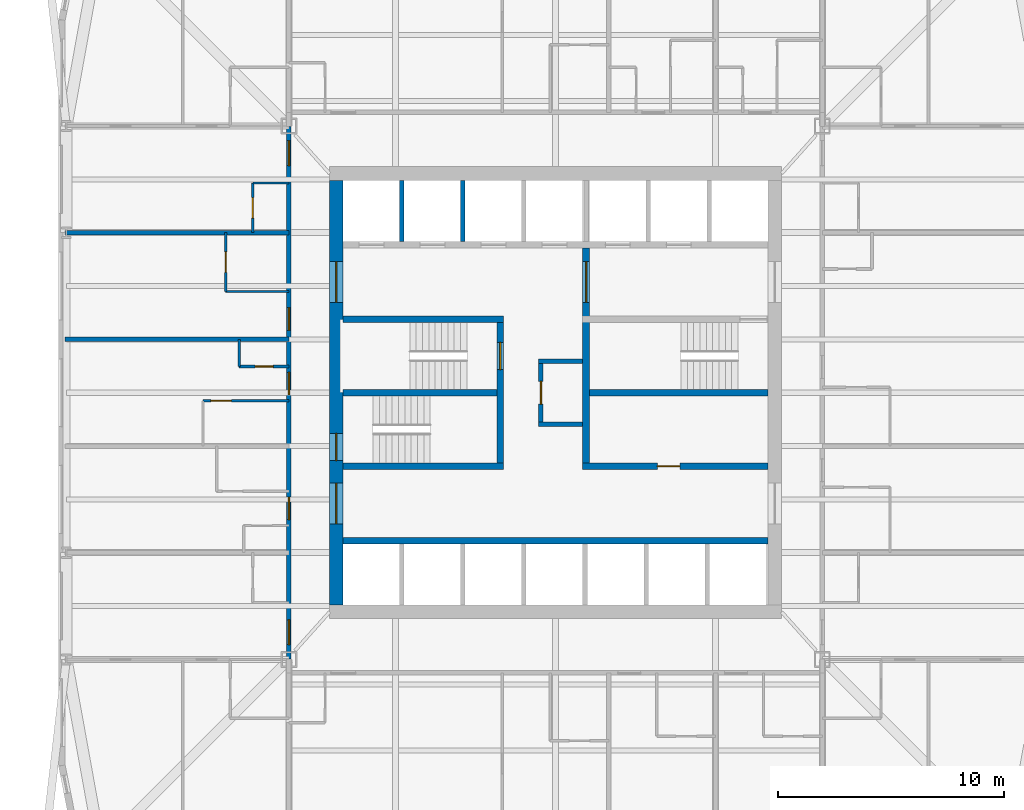
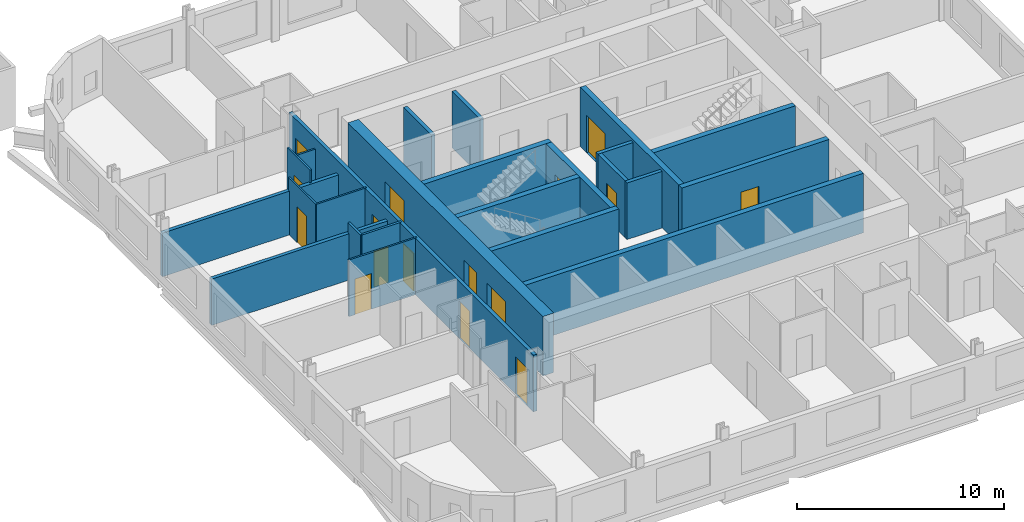
# One storey, part 4 of 9: 24 walls, 16 doors, 16 openings.
"""IFC4 building model written with IfcOpenShell, lengths in metres."""

from ifc_helpers import new_model, si_unit, direction, frame, frame_2d, origin, place, context, subcontext, project, spatial, rectangle, extrude, material, layer, layer_set, type_object, element, fill, save


model = new_model("IFC4")

# Units and contexts
model_context = context("Model", 3, precision=1e-05, world=origin(), true_north=direction((0.0, 1.0)))
body_context = subcontext(model_context, "Body", "Model", "MODEL_VIEW")
ifc_project = project(units=[si_unit("LENGTHUNIT", "METRE"), si_unit("AREAUNIT", "SQUARE_METRE"), si_unit("VOLUMEUNIT", "CUBIC_METRE"), si_unit("PLANEANGLEUNIT", "RADIAN"), si_unit("MASSUNIT", "GRAM", prefix="KILO")], contexts=[model_context])

# Site, building, storey
site_placement = place(None, origin())
site = spatial("IfcSite", under=ifc_project, at=site_placement, CompositionType="ELEMENT")
building_placement = place(site_placement, origin())
building = spatial("IfcBuilding", under=site, at=building_placement, Name="Turquesa Mirador Hotel Tower", CompositionType="ELEMENT")
storey_placement = place(building_placement, frame((0.0, 0.0, 28.5)))
storey = spatial("IfcBuildingStorey", under=building, at=storey_placement, Name="L06", CompositionType="ELEMENT", Elevation=28.5)

# Wall, opening, door
ifc_material_1 = material(Name="Gypsum board on steel studs", Category="steel")
ifc_layer_1 = layer(ifc_material_1, 0.10009765625)
ifc_layer_set_1 = layer_set([ifc_layer_1], Name="BATHROOM WALL 100")
wall_type_1 = type_object("IfcWallType", Name="BATHROOM WALL 100", PredefinedType="PARTITIONING", material=ifc_layer_set_1)
wall_1_placement = place(storey_placement, frame((39.39990234375, 44.639892578125, 0.0), z_axis=(0.0, 0.0, 1.0), x_axis=(1.0, 0.0, 0.0)))
wall_1 = element("IfcWall", 1, at=wall_1_placement, inside=storey, type_object=wall_type_1, Name="Partition L06 001", PredefinedType="PARTITIONING", context=body_context, shape_type="SweptSolid", body=[
    extrude(rectangle(XDim=3.800048828125, YDim=0.10009765625, at=frame_2d((1.89990234375, 0.0))), origin(), (0.0, 0.0, 1.0), 3.330078125),
])
opening_1_placement = place(wall_1_placement, frame((0.35009765625, 0.0, 0.0)))
opening_1 = element("IfcOpeningElement", 2, at=opening_1_placement, cuts=wall_1, Name="Opening D02", PredefinedType="OPENING", context=body_context, shape_type="SweptSolid", body=[
    extrude(rectangle(XDim=0.89990234375, YDim=2.10009765625, at=frame_2d((0.449951171875, 1.050048828125))), frame((0.0, 0.06005859375, 0.0), z_axis=(0.0, -1.0, 0.0), x_axis=(1.0, 0.0, 0.0)), (0.0, 0.0, 1.0), 0.1201171875),
])
ifc_material_2 = material(Name="Timber veneered door", Category="wood")
door_type_1 = type_object("IfcDoorType", Name="DOOR 900X2100 EN-SUITE", OperationType="SINGLE_SWING_RIGHT", PredefinedType="DOOR", material=ifc_material_2)
door_1_placement = place(opening_1_placement, origin())
door_1 = element("IfcDoor", 3, at=door_1_placement, inside=storey, type_object=door_type_1, Name="Door 0610B", OperationType="SINGLE_SWING_RIGHT", OverallHeight=2.10009765625, OverallWidth=0.89990234375, PredefinedType="DOOR", context=body_context, shape_type="SweptSolid", body=[
    extrude(rectangle(XDim=0.89990234375, YDim=2.10009765625, at=frame_2d((0.449951171875, 1.050048828125))), frame((0.0, 0.02490234375, 0.0), z_axis=(0.0, -1.0, 0.0), x_axis=(1.0, 0.0, 0.0)), (0.0, 0.0, 1.0), 0.050048828125),
])
fill(opening_1, door_1)

# Walls
wall_2_placement = place(storey_placement, frame((40.39990234375, 49.47998046875, 0.0), z_axis=(0.0, 0.0, 1.0), x_axis=(1.0, 0.0, 0.0)))
element("IfcWall", 4, at=wall_2_placement, inside=storey, type_object=wall_type_1, Name="Partition L06 038", PredefinedType="PARTITIONING", context=body_context, shape_type="SweptSolid", body=[
    extrude(rectangle(XDim=2.800048828125, YDim=0.10009765625, at=frame_2d((1.39990234375, 0.0))), origin(), (0.0, 0.0, 1.0), 3.330078125),
])
wall_3_placement = place(storey_placement, frame((41.60009765625, 54.280029296875, 0.0), z_axis=(0.0, 0.0, 1.0), x_axis=(1.0, 0.0, 0.0)))
element("IfcWall", 5, at=wall_3_placement, inside=storey, type_object=wall_type_1, Name="Partition L06 042", PredefinedType="PARTITIONING", context=body_context, shape_type="SweptSolid", body=[
    extrude(rectangle(XDim=1.599853515625, YDim=0.10009765625, at=frame_2d((0.7998046875, 0.0))), origin(), (0.0, 0.0, 1.0), 2.722900390625),
])

# Wall, opening, door
wall_4_placement = place(storey_placement, frame((41.60009765625, 52.080078125, 0.0), z_axis=(0.0, 0.0, 1.0), x_axis=(0.0, 1.0, 0.0)))
wall_4 = element("IfcWall", 6, at=wall_4_placement, inside=storey, type_object=wall_type_1, Name="Partition L06 054", PredefinedType="PARTITIONING", context=body_context, shape_type="SweptSolid", body=[
    extrude(rectangle(XDim=2.199951171875, YDim=0.10009765625, at=frame_2d((1.10009765625, 0.0))), origin(), (0.0, 0.0, 1.0), 3.330078125),
])
opening_2_placement = place(wall_4_placement, frame((0.64990234375, 0.0, 0.0)))
opening_2 = element("IfcOpeningElement", 7, at=opening_2_placement, cuts=wall_4, Name="Opening D06", PredefinedType="OPENING", context=body_context, shape_type="SweptSolid", body=[
    extrude(rectangle(XDim=0.89990234375, YDim=2.10009765625, at=frame_2d((0.449951171875, 1.050048828125))), frame((0.0, 0.06005859375, 0.0), z_axis=(0.0, -1.0, 0.0), x_axis=(1.0, 0.0, 0.0)), (0.0, 0.0, 1.0), 0.1201171875),
])
ifc_material_3 = material(Name="Laminate door", Category="wood")
door_type_2 = type_object("IfcDoorType", Name="DOOR 900X2100 WC", OperationType="SINGLE_SWING_LEFT", PredefinedType="DOOR", material=ifc_material_3)
door_2_placement = place(opening_2_placement, origin())
door_2 = element("IfcDoor", 8, at=door_2_placement, inside=storey, type_object=door_type_2, Name="Door 0613W", OperationType="SINGLE_SWING_LEFT", OverallHeight=2.10009765625, OverallWidth=0.89990234375, PredefinedType="DOOR", context=body_context, shape_type="SweptSolid", body=[
    extrude(rectangle(XDim=0.89990234375, YDim=2.10009765625, at=frame_2d((0.449951171875, 1.050048828125))), frame((0.0, 0.02490234375, 0.0), z_axis=(0.0, -1.0, 0.0), x_axis=(1.0, 0.0, 0.0)), (0.0, 0.0, 1.0), 0.050048828125),
])
fill(opening_2, door_2)

wall_5_placement = place(storey_placement, frame((40.39990234375, 49.47998046875, 0.0), z_axis=(0.0, 0.0, 1.0), x_axis=(0.0, 1.0, 0.0)))
wall_5 = element("IfcWall", 9, at=wall_5_placement, inside=storey, type_object=wall_type_1, Name="Partition L06 059", PredefinedType="PARTITIONING", context=body_context, shape_type="SweptSolid", body=[
    extrude(rectangle(XDim=2.60009765625, YDim=0.10009765625, at=frame_2d((1.300048828125, 0.0))), origin(), (0.0, 0.0, 1.0), 3.330078125),
])
opening_3_placement = place(wall_5_placement, frame((0.85009765625, 0.0, 0.0)))
opening_3 = element("IfcOpeningElement", 10, at=opening_3_placement, cuts=wall_5, Name="Opening D02", PredefinedType="OPENING", context=body_context, shape_type="SweptSolid", body=[
    extrude(rectangle(XDim=0.89990234375, YDim=2.10009765625, at=frame_2d((0.449951171875, 1.050048828125))), frame((0.0, 0.06005859375, 0.0), z_axis=(0.0, -1.0, 0.0), x_axis=(1.0, 0.0, 0.0)), (0.0, 0.0, 1.0), 0.1201171875),
])
door_3_placement = place(opening_3_placement, origin())
door_3 = element("IfcDoor", 11, at=door_3_placement, inside=storey, type_object=door_type_1, Name="Door 0611B", OperationType="SINGLE_SWING_RIGHT", OverallHeight=2.10009765625, OverallWidth=0.89990234375, PredefinedType="DOOR", context=body_context, shape_type="SweptSolid", body=[
    extrude(rectangle(XDim=0.89990234375, YDim=2.10009765625, at=frame_2d((0.449951171875, 1.050048828125))), frame((0.0, 0.02490234375, 0.0), z_axis=(0.0, -1.0, 0.0), x_axis=(1.0, 0.0, 0.0)), (0.0, 0.0, 1.0), 0.050048828125),
])
fill(opening_3, door_3)

# Walls
ifc_material_4 = material(Name="Concrete C50/60", Category="concrete")
ifc_layer_2 = layer(ifc_material_4, 0.300048828125)
ifc_layer_set_2 = layer_set([ifc_layer_2], Name="CORE INNER WALL 300")
wall_type_2 = type_object("IfcWallType", Name="CORE INNER WALL 300", PredefinedType="SHEAR", material=ifc_layer_set_2)
wall_6_placement = place(storey_placement, frame((45.60009765625, 38.449951171875, 0.0), z_axis=(0.0, 0.0, 1.0), x_axis=(1.0, 0.0, 0.0)))
element("IfcWall", 12, at=wall_6_placement, inside=storey, type_object=wall_type_2, Name="Core wall SL", PredefinedType="SHEAR", context=body_context, shape_type="SweptSolid", body=[
    extrude(rectangle(XDim=18.7998046875, YDim=0.300048828125, at=frame_2d((9.39990234375, 0.0))), origin(), (0.0, 0.0, 1.0), 3.5),
])
for number, where, z_axis, x_axis, name in (
    (13, (45.60009765625, 48.25, 0.0), (0.0, 0.0, 1.0), (1.0, 0.0, 0.0), "Core wall MN-W"),
    (14, (45.60009765625, 41.75, 0.0), (0.0, 0.0, 1.0), (1.0, 0.0, 0.0), "Core wall MS-W"),
):
    element("IfcWall", number, at=place(storey_placement, frame(where, z_axis=z_axis, x_axis=x_axis)), inside=storey, type_object=wall_type_2, Name=name, PredefinedType="SHEAR", context=body_context, shape_type="SweptSolid", body=[
        extrude(rectangle(XDim=7.099853515625, YDim=0.300048828125, at=frame_2d((3.5498046875, 0.0))), origin(), (0.0, 0.0, 1.0), 3.5),
    ])

# Wall, opening, door
wall_7_placement = place(storey_placement, frame((56.199951171875, 41.75, 0.0), z_axis=(0.0, 0.0, 1.0), x_axis=(1.0, 0.0, 0.0)))
wall_7 = element("IfcWall", 15, at=wall_7_placement, inside=storey, type_object=wall_type_2, Name="Core wall MS-E", PredefinedType="SHEAR", context=body_context, shape_type="SweptSolid", body=[
    extrude(rectangle(XDim=8.199951171875, YDim=0.300048828125, at=frame_2d((4.10009765625, 0.0))), origin(), (0.0, 0.0, 1.0), 3.5),
])
opening_4_placement = place(wall_7_placement, frame((3.300048828125, 0.0, 0.0)))
opening_4 = element("IfcOpeningElement", 16, at=opening_4_placement, cuts=wall_7, Name="Opening D05", PredefinedType="OPENING", context=body_context, shape_type="SweptSolid", body=[
    extrude(rectangle(XDim=1.0, YDim=2.10009765625, at=frame_2d((0.5, 1.050048828125))), frame((0.0, 0.159912109375, 0.0), z_axis=(0.0, -1.0, 0.0), x_axis=(1.0, 0.0, 0.0)), (0.0, 0.0, 1.0), 0.320068359375),
])
ifc_material_5 = material(Name="Steel fire door", Category="steel")
door_type_3 = type_object("IfcDoorType", Name="DOOR 1000X2100 SERVICE", OperationType="SINGLE_SWING_LEFT", PredefinedType="DOOR", material=ifc_material_5)
door_4_placement = place(opening_4_placement, origin())
door_4 = element("IfcDoor", 17, at=door_4_placement, inside=storey, type_object=door_type_3, Name="Housekeeping room door", OperationType="SINGLE_SWING_LEFT", OverallHeight=2.10009765625, OverallWidth=1.0, PredefinedType="DOOR", context=body_context, shape_type="SweptSolid", body=[
    extrude(rectangle(XDim=1.0, YDim=2.10009765625, at=frame_2d((0.5, 1.050048828125))), frame((0.0, 0.02490234375, 0.0), z_axis=(0.0, -1.0, 0.0), x_axis=(1.0, 0.0, 0.0)), (0.0, 0.0, 1.0), 0.050048828125),
])
fill(opening_4, door_4)

wall_8_placement = place(storey_placement, frame((52.550048828125, 41.89990234375, 0.0), z_axis=(0.0, 0.0, 1.0), x_axis=(0.0, 1.0, 0.0)))
wall_8 = element("IfcWall", 18, at=wall_8_placement, inside=storey, type_object=wall_type_2, Name="Core wall PW", PredefinedType="SHEAR", context=body_context, shape_type="SweptSolid", body=[
    extrude(rectangle(XDim=6.2001953125, YDim=0.300048828125, at=frame_2d((3.10009765625, 0.0))), origin(), (0.0, 0.0, 1.0), 3.5),
])
opening_5_placement = place(wall_8_placement, frame((4.125, 0.0, 0.0)))
opening_5 = element("IfcOpeningElement", 19, at=opening_5_placement, cuts=wall_8, Name="Opening D03", PredefinedType="OPENING", context=body_context, shape_type="SweptSolid", body=[
    extrude(rectangle(XDim=1.199951171875, YDim=2.199951171875, at=frame_2d((0.60009765625, 1.10009765625))), frame((0.0, 0.159912109375, 0.0), z_axis=(0.0, -1.0, 0.0), x_axis=(1.0, 0.0, 0.0)), (0.0, 0.0, 1.0), 0.320068359375),
])
ifc_material_6 = material(Name="Steel fire door", Category="steel")
door_type_4 = type_object("IfcDoorType", Name="DOOR 1200X2200 STAIR", OperationType="SINGLE_SWING_LEFT", PredefinedType="DOOR", material=ifc_material_6)
door_5_placement = place(opening_5_placement, origin())
door_5 = element("IfcDoor", 20, at=door_5_placement, inside=storey, type_object=door_type_4, Name="Stair ST1 door", OperationType="SINGLE_SWING_LEFT", OverallHeight=2.199951171875, OverallWidth=1.199951171875, PredefinedType="DOOR", context=body_context, shape_type="SweptSolid", body=[
    extrude(rectangle(XDim=1.199951171875, YDim=2.199951171875, at=frame_2d((0.60009765625, 1.10009765625))), frame((0.0, 0.02490234375, 0.0), z_axis=(0.0, -1.0, 0.0), x_axis=(1.0, 0.0, 0.0)), (0.0, 0.0, 1.0), 0.050048828125),
])
fill(opening_5, door_5)

wall_9_placement = place(storey_placement, frame((56.35009765625, 41.89990234375, 0.0), z_axis=(0.0, 0.0, 1.0), x_axis=(0.0, 1.0, 0.0)))
wall_9 = element("IfcWall", 21, at=wall_9_placement, inside=storey, type_object=wall_type_2, Name="Core wall PE", PredefinedType="SHEAR", context=body_context, shape_type="SweptSolid", body=[
    extrude(rectangle(XDim=9.5, YDim=0.300048828125, at=frame_2d((4.75, 0.0))), origin(), (0.0, 0.0, 1.0), 3.5),
])
opening_6_placement = place(wall_9_placement, frame((7.10009765625, 0.0, 0.0)))
opening_6 = element("IfcOpeningElement", 22, at=opening_6_placement, cuts=wall_9, Name="Opening D04", PredefinedType="OPENING", context=body_context, shape_type="SweptSolid", body=[
    extrude(rectangle(XDim=1.800048828125, YDim=2.199951171875, at=frame_2d((0.89990234375, 1.10009765625))), frame((0.0, 0.159912109375, 0.0), z_axis=(0.0, -1.0, 0.0), x_axis=(1.0, 0.0, 0.0)), (0.0, 0.0, 1.0), 0.320068359375),
])
ifc_material_7 = material(Name="Steel fire door pair", Category="steel")
door_type_5 = type_object("IfcDoorType", Name="DOOR 1800X2200 PAIR", OperationType="DOUBLE_DOOR_SINGLE_SWING", PredefinedType="DOOR", material=ifc_material_7)
door_6_placement = place(opening_6_placement, origin())
door_6 = element("IfcDoor", 23, at=door_6_placement, inside=storey, type_object=door_type_5, Name="Firefighting lobby inner door", OperationType="DOUBLE_DOOR_SINGLE_SWING", OverallHeight=2.199951171875, OverallWidth=1.800048828125, PredefinedType="DOOR", context=body_context, shape_type="SweptSolid", body=[
    extrude(rectangle(XDim=1.800048828125, YDim=2.199951171875, at=frame_2d((0.89990234375, 1.10009765625))), frame((0.0, 0.02490234375, 0.0), z_axis=(0.0, -1.0, 0.0), x_axis=(1.0, 0.0, 0.0)), (0.0, 0.0, 1.0), 0.050048828125),
])
fill(opening_6, door_6)

# Walls
wall_10_placement = place(storey_placement, frame((45.60009765625, 45.0, 0.0), z_axis=(0.0, 0.0, 1.0), x_axis=(1.0, 0.0, 0.0)))
element("IfcWall", 24, at=wall_10_placement, inside=storey, type_object=wall_type_2, Name="Core wall M0-W", PredefinedType="SHEAR", context=body_context, shape_type="SweptSolid", body=[
    extrude(rectangle(XDim=6.7998046875, YDim=0.300048828125, at=frame_2d((3.39990234375, 0.0))), origin(), (0.0, 0.0, 1.0), 3.5),
])
wall_11_placement = place(storey_placement, frame((56.5, 45.0, 0.0), z_axis=(0.0, 0.0, 1.0), x_axis=(1.0, 0.0, 0.0)))
element("IfcWall", 25, at=wall_11_placement, inside=storey, type_object=wall_type_2, Name="Core wall M0-E", PredefinedType="SHEAR", context=body_context, shape_type="SweptSolid", body=[
    extrude(rectangle(XDim=7.89990234375, YDim=0.300048828125, at=frame_2d((3.949951171875, 0.0))), origin(), (0.0, 0.0, 1.0), 3.5),
])

# Wall, openings, doors
ifc_material_8 = material(Name="Concrete C50/60", Category="concrete")
ifc_layer_3 = layer(ifc_material_8, 0.60009765625)
ifc_layer_set_3 = layer_set([ifc_layer_3], Name="CORE WALL 600")
wall_type_3 = type_object("IfcWallType", Name="CORE WALL 600", PredefinedType="SHEAR", material=ifc_layer_set_3)
wall_12_placement = place(storey_placement, frame((45.300048828125, 35.60009765625, 0.0), z_axis=(0.0, 0.0, 1.0), x_axis=(0.0, 1.0, 0.0)))
wall_12 = element("IfcWall", 26, at=wall_12_placement, inside=storey, type_object=wall_type_3, Name="Core wall W", PredefinedType="SHEAR", context=body_context, shape_type="SweptSolid", body=[
    extrude(rectangle(XDim=18.7998046875, YDim=0.60009765625, at=frame_2d((9.39990234375, 0.0))), origin(), (0.0, 0.0, 1.0), 3.5),
])
opening_7_placement = place(wall_12_placement, frame((13.39990234375, 0.0, 0.0)))
opening_7 = element("IfcOpeningElement", 27, at=opening_7_placement, cuts=wall_12, Name="Opening D04", PredefinedType="OPENING", context=body_context, shape_type="SweptSolid", body=[
    extrude(rectangle(XDim=1.800048828125, YDim=2.199951171875, at=frame_2d((0.89990234375, 1.10009765625))), frame((0.0, 0.31005859375, 0.0), z_axis=(0.0, -1.0, 0.0), x_axis=(1.0, 0.0, 0.0)), (0.0, 0.0, 1.0), 0.6201171875),
])
opening_8_placement = place(wall_12_placement, frame((3.60009765625, 0.0, 0.0)))
opening_8 = element("IfcOpeningElement", 28, at=opening_8_placement, cuts=wall_12, Name="Opening D04", PredefinedType="OPENING", context=body_context, shape_type="SweptSolid", body=[
    extrude(rectangle(XDim=1.800048828125, YDim=2.199951171875, at=frame_2d((0.89990234375, 1.10009765625))), frame((0.0, 0.31005859375, 0.0), z_axis=(0.0, -1.0, 0.0), x_axis=(1.0, 0.0, 0.0)), (0.0, 0.0, 1.0), 0.6201171875),
])
opening_9_placement = place(wall_12_placement, frame((6.39990234375, 0.0, 0.0)))
opening_9 = element("IfcOpeningElement", 29, at=opening_9_placement, cuts=wall_12, Name="Opening D03", PredefinedType="OPENING", context=body_context, shape_type="SweptSolid", body=[
    extrude(rectangle(XDim=1.199951171875, YDim=2.199951171875, at=frame_2d((0.60009765625, 1.10009765625))), frame((0.0, 0.31005859375, 0.0), z_axis=(0.0, -1.0, 0.0), x_axis=(1.0, 0.0, 0.0)), (0.0, 0.0, 1.0), 0.6201171875),
])
door_7_placement = place(opening_9_placement, origin())
door_7 = element("IfcDoor", 30, at=door_7_placement, inside=storey, type_object=door_type_4, Name="Stair ST2 door", OperationType="SINGLE_SWING_LEFT", OverallHeight=2.199951171875, OverallWidth=1.199951171875, PredefinedType="DOOR", context=body_context, shape_type="SweptSolid", body=[
    extrude(rectangle(XDim=1.199951171875, YDim=2.199951171875, at=frame_2d((0.60009765625, 1.10009765625))), frame((0.0, 0.02490234375, 0.0), z_axis=(0.0, -1.0, 0.0), x_axis=(1.0, 0.0, 0.0)), (0.0, 0.0, 1.0), 0.050048828125),
])
fill(opening_9, door_7)
door_8_placement = place(opening_7_placement, origin())
door_8 = element("IfcDoor", 31, at=door_8_placement, inside=storey, type_object=door_type_5, Name="North lift lobby door", OperationType="DOUBLE_DOOR_SINGLE_SWING", OverallHeight=2.199951171875, OverallWidth=1.800048828125, PredefinedType="DOOR", context=body_context, shape_type="SweptSolid", body=[
    extrude(rectangle(XDim=1.800048828125, YDim=2.199951171875, at=frame_2d((0.89990234375, 1.10009765625))), frame((0.0, 0.02490234375, 0.0), z_axis=(0.0, -1.0, 0.0), x_axis=(1.0, 0.0, 0.0)), (0.0, 0.0, 1.0), 0.050048828125),
])
fill(opening_7, door_8)
door_9_placement = place(opening_8_placement, origin())
door_9 = element("IfcDoor", 32, at=door_9_placement, inside=storey, type_object=door_type_5, Name="South lift lobby door", OperationType="DOUBLE_DOOR_SINGLE_SWING", OverallHeight=2.199951171875, OverallWidth=1.800048828125, PredefinedType="DOOR", context=body_context, shape_type="SweptSolid", body=[
    extrude(rectangle(XDim=1.800048828125, YDim=2.199951171875, at=frame_2d((0.89990234375, 1.10009765625))), frame((0.0, 0.02490234375, 0.0), z_axis=(0.0, -1.0, 0.0), x_axis=(1.0, 0.0, 0.0)), (0.0, 0.0, 1.0), 0.050048828125),
])
fill(opening_8, door_9)

ifc_material_9 = material(Name="Fire-rated gypsum board on steel studs", Category="steel")
ifc_layer_4 = layer(ifc_material_9, 0.199951171875)
ifc_layer_set_4 = layer_set([ifc_layer_4], Name="CORRIDOR WALL 200")
wall_type_4 = type_object("IfcWallType", Name="CORRIDOR WALL 200", PredefinedType="PARTITIONING", material=ifc_layer_set_4)
wall_13_placement = place(storey_placement, frame((43.199951171875, 33.219970703125, 0.0), z_axis=(0.0, 0.0, 1.0), x_axis=(0.0, 1.0, 0.0)))
wall_13 = element("IfcWall", 33, at=wall_13_placement, inside=storey, type_object=wall_type_4, Name="Partition L06 048", PredefinedType="PARTITIONING", context=body_context, shape_type="SweptSolid", body=[
    extrude(rectangle(XDim=23.56005859375, YDim=0.199951171875, at=frame_2d((11.780029296875, 0.0))), origin(), (0.0, 0.0, 1.0), 3.330078125),
])
opening_10_placement = place(wall_13_placement, frame((6.159912109375, 0.0, 0.0)))
opening_10 = element("IfcOpeningElement", 34, at=opening_10_placement, cuts=wall_13, Name="Opening D01", PredefinedType="OPENING", context=body_context, shape_type="SweptSolid", body=[
    extrude(rectangle(XDim=1.0, YDim=2.199951171875, at=frame_2d((0.5, 1.10009765625))), frame((0.0, 0.10986328125, 0.0), z_axis=(0.0, -1.0, 0.0), x_axis=(1.0, 0.0, 0.0)), (0.0, 0.0, 1.0), 0.219970703125),
])
opening_11_placement = place(wall_13_placement, frame((11.679931640625, 0.0, 0.0)))
opening_11 = element("IfcOpeningElement", 35, at=opening_11_placement, cuts=wall_13, Name="Opening D01", PredefinedType="OPENING", context=body_context, shape_type="SweptSolid", body=[
    extrude(rectangle(XDim=1.0, YDim=2.199951171875, at=frame_2d((0.5, 1.10009765625))), frame((0.0, 0.10986328125, 0.0), z_axis=(0.0, -1.0, 0.0), x_axis=(1.0, 0.0, 0.0)), (0.0, 0.0, 1.0), 0.219970703125),
])
opening_12_placement = place(wall_13_placement, frame((14.5400390625, 0.0, 0.0)))
opening_12 = element("IfcOpeningElement", 36, at=opening_12_placement, cuts=wall_13, Name="Opening D01", PredefinedType="OPENING", context=body_context, shape_type="SweptSolid", body=[
    extrude(rectangle(XDim=1.0, YDim=2.199951171875, at=frame_2d((0.5, 1.10009765625))), frame((0.0, 0.10986328125, 0.0), z_axis=(0.0, -1.0, 0.0), x_axis=(1.0, 0.0, 0.0)), (0.0, 0.0, 1.0), 0.219970703125),
])
opening_13_placement = place(wall_13_placement, frame((21.830078125, 0.0, 0.0)))
opening_13 = element("IfcOpeningElement", 37, at=opening_13_placement, cuts=wall_13, Name="Opening D15", PredefinedType="OPENING", context=body_context, shape_type="SweptSolid", body=[
    extrude(rectangle(XDim=1.10009765625, YDim=2.199951171875, at=frame_2d((0.550048828125, 1.10009765625))), frame((0.0, 0.10986328125, 0.0), z_axis=(0.0, -1.0, 0.0), x_axis=(1.0, 0.0, 0.0)), (0.0, 0.0, 1.0), 0.219970703125),
])
opening_14_placement = place(wall_13_placement, frame((0.6298828125, 0.0, 0.0)))
opening_14 = element("IfcOpeningElement", 38, at=opening_14_placement, cuts=wall_13, Name="Opening D15", PredefinedType="OPENING", context=body_context, shape_type="SweptSolid", body=[
    extrude(rectangle(XDim=1.10009765625, YDim=2.199951171875, at=frame_2d((0.550048828125, 1.10009765625))), frame((0.0, 0.10986328125, 0.0), z_axis=(0.0, -1.0, 0.0), x_axis=(1.0, 0.0, 0.0)), (0.0, 0.0, 1.0), 0.219970703125),
])
ifc_material_10 = material(Name="Timber veneered fire door", Category="wood")
door_type_6 = type_object("IfcDoorType", Name="DOOR 1000X2200 GUEST ENTRY", OperationType="SINGLE_SWING_LEFT", PredefinedType="DOOR", material=ifc_material_10)
door_10_placement = place(opening_10_placement, origin())
door_10 = element("IfcDoor", 39, at=door_10_placement, inside=storey, type_object=door_type_6, Name="Door 0609", OperationType="SINGLE_SWING_LEFT", OverallHeight=2.199951171875, OverallWidth=1.0, PredefinedType="DOOR", context=body_context, shape_type="SweptSolid", body=[
    extrude(rectangle(XDim=1.0, YDim=2.199951171875, at=frame_2d((0.5, 1.10009765625))), frame((0.0, 0.02490234375, 0.0), z_axis=(0.0, -1.0, 0.0), x_axis=(1.0, 0.0, 0.0)), (0.0, 0.0, 1.0), 0.050048828125),
])
fill(opening_10, door_10)
door_11_placement = place(opening_11_placement, origin())
door_11 = element("IfcDoor", 40, at=door_11_placement, inside=storey, type_object=door_type_6, Name="Door 0610", OperationType="SINGLE_SWING_LEFT", OverallHeight=2.199951171875, OverallWidth=1.0, PredefinedType="DOOR", context=body_context, shape_type="SweptSolid", body=[
    extrude(rectangle(XDim=1.0, YDim=2.199951171875, at=frame_2d((0.5, 1.10009765625))), frame((0.0, 0.02490234375, 0.0), z_axis=(0.0, -1.0, 0.0), x_axis=(1.0, 0.0, 0.0)), (0.0, 0.0, 1.0), 0.050048828125),
])
fill(opening_11, door_11)
door_12_placement = place(opening_12_placement, origin())
door_12 = element("IfcDoor", 41, at=door_12_placement, inside=storey, type_object=door_type_6, Name="Door 0611", OperationType="SINGLE_SWING_LEFT", OverallHeight=2.199951171875, OverallWidth=1.0, PredefinedType="DOOR", context=body_context, shape_type="SweptSolid", body=[
    extrude(rectangle(XDim=1.0, YDim=2.199951171875, at=frame_2d((0.5, 1.10009765625))), frame((0.0, 0.02490234375, 0.0), z_axis=(0.0, -1.0, 0.0), x_axis=(1.0, 0.0, 0.0)), (0.0, 0.0, 1.0), 0.050048828125),
])
fill(opening_12, door_12)
ifc_material_11 = material(Name="Timber veneered fire door", Category="wood")
door_type_7 = type_object("IfcDoorType", Name="DOOR 1100X2200 SUITE ENTRY", OperationType="SINGLE_SWING_LEFT", PredefinedType="DOOR", material=ifc_material_11)
door_13_placement = place(opening_13_placement, origin())
door_13 = element("IfcDoor", 42, at=door_13_placement, inside=storey, type_object=door_type_7, Name="Door 0613", OperationType="SINGLE_SWING_LEFT", OverallHeight=2.199951171875, OverallWidth=1.10009765625, PredefinedType="DOOR", context=body_context, shape_type="SweptSolid", body=[
    extrude(rectangle(XDim=1.10009765625, YDim=2.199951171875, at=frame_2d((0.550048828125, 1.10009765625))), frame((0.0, 0.02490234375, 0.0), z_axis=(0.0, -1.0, 0.0), x_axis=(1.0, 0.0, 0.0)), (0.0, 0.0, 1.0), 0.050048828125),
])
fill(opening_13, door_13)
door_14_placement = place(opening_14_placement, origin())
door_14 = element("IfcDoor", 43, at=door_14_placement, inside=storey, type_object=door_type_7, Name="Door 0614", OperationType="SINGLE_SWING_LEFT", OverallHeight=2.199951171875, OverallWidth=1.10009765625, PredefinedType="DOOR", context=body_context, shape_type="SweptSolid", body=[
    extrude(rectangle(XDim=1.10009765625, YDim=2.199951171875, at=frame_2d((0.550048828125, 1.10009765625))), frame((0.0, 0.02490234375, 0.0), z_axis=(0.0, -1.0, 0.0), x_axis=(1.0, 0.0, 0.0)), (0.0, 0.0, 1.0), 0.050048828125),
])
fill(opening_14, door_14)

# Wall, opening, door
ifc_material_12 = material(Name="Fire-rated gypsum board on steel studs", Category="steel")
ifc_layer_5 = layer(ifc_material_12, 0.199951171875)
ifc_layer_set_5 = layer_set([ifc_layer_5], Name="FIRE PARTITION 200")
wall_type_5 = type_object("IfcWallType", Name="FIRE PARTITION 200", PredefinedType="PARTITIONING", material=ifc_layer_set_5)
wall_14_placement = place(storey_placement, frame((54.35009765625, 43.60009765625, 0.0), z_axis=(0.0, 0.0, 1.0), x_axis=(0.0, 1.0, 0.0)))
wall_14 = element("IfcWall", 44, at=wall_14_placement, inside=storey, type_object=wall_type_5, Name="Partition L06 VD W", PredefinedType="PARTITIONING", context=body_context, shape_type="SweptSolid", body=[
    extrude(rectangle(XDim=2.7998046875, YDim=0.199951171875, at=frame_2d((1.39990234375, 0.0))), origin(), (0.0, 0.0, 1.0), 3.330078125),
])
opening_15_placement = place(wall_14_placement, frame((0.89990234375, 0.0, 0.0)))
opening_15 = element("IfcOpeningElement", 45, at=opening_15_placement, cuts=wall_14, Name="Opening D05", PredefinedType="OPENING", context=body_context, shape_type="SweptSolid", body=[
    extrude(rectangle(XDim=1.0, YDim=2.10009765625, at=frame_2d((0.5, 1.050048828125))), frame((0.0, 0.10986328125, 0.0), z_axis=(0.0, -1.0, 0.0), x_axis=(1.0, 0.0, 0.0)), (0.0, 0.0, 1.0), 0.219970703125),
])
door_15_placement = place(opening_15_placement, origin())
door_15 = element("IfcDoor", 46, at=door_15_placement, inside=storey, type_object=door_type_3, Name="Ice and vending room door", OperationType="SINGLE_SWING_LEFT", OverallHeight=2.10009765625, OverallWidth=1.0, PredefinedType="DOOR", context=body_context, shape_type="SweptSolid", body=[
    extrude(rectangle(XDim=1.0, YDim=2.10009765625, at=frame_2d((0.5, 1.050048828125))), frame((0.0, 0.02490234375, 0.0), z_axis=(0.0, -1.0, 0.0), x_axis=(1.0, 0.0, 0.0)), (0.0, 0.0, 1.0), 0.050048828125),
])
fill(opening_15, door_15)

# Walls
for number, where, z_axis, x_axis, name in (
    (47, (54.25, 43.60009765625, 0.0), (0.0, 0.0, 1.0), (1.0, 0.0, 0.0), "Partition L06 VD S"),
    (48, (54.25, 46.39990234375, 0.0), (0.0, 0.0, 1.0), (1.0, 0.0, 0.0), "Partition L06 VD N"),
):
    element("IfcWall", number, at=place(storey_placement, frame(where, z_axis=z_axis, x_axis=x_axis)), inside=storey, type_object=wall_type_5, Name=name, PredefinedType="PARTITIONING", context=body_context, shape_type="SweptSolid", body=[
        extrude(rectangle(XDim=1.949951171875, YDim=0.199951171875, at=frame_2d((0.97509765625, 0.0))), origin(), (0.0, 0.0, 1.0), 3.330078125),
    ])
ifc_material_13 = material(Name="Fire-rated gypsum shaft wall on steel studs", Category="steel")
ifc_layer_6 = layer(ifc_material_13, 0.199951171875)
ifc_layer_set_6 = layer_set([ifc_layer_6], Name="LIFT SHAFT DIVIDER 200")
wall_type_6 = type_object("IfcWallType", Name="LIFT SHAFT DIVIDER 200", PredefinedType="PARTITIONING", material=ifc_layer_set_6)
for number, where, z_axis, x_axis, name in (
    (49, (48.199951171875, 51.699951171875, 0.0), (0.0, 0.0, 1.0), (0.0, 1.0, 0.0), "Lift shaft divider"),
    (50, (50.89990234375, 51.699951171875, 0.0), (0.0, 0.0, 1.0), (0.0, 1.0, 0.0), "Lift shaft divider"),
):
    element("IfcWall", number, at=place(storey_placement, frame(where, z_axis=z_axis, x_axis=x_axis)), inside=storey, type_object=wall_type_6, Name=name, PredefinedType="PARTITIONING", context=body_context, shape_type="SweptSolid", body=[
        extrude(rectangle(XDim=2.699951171875, YDim=0.199951171875, at=frame_2d((1.35009765625, 0.0))), origin(), (0.0, 0.0, 1.0), 3.330078125),
    ])
ifc_material_14 = material(Name="Fire-rated gypsum board on steel studs", Category="steel")
ifc_layer_7 = layer(ifc_material_14, 0.199951171875)
ifc_layer_set_7 = layer_set([ifc_layer_7], Name="PARTY WALL 200")
wall_type_7 = type_object("IfcWallType", Name="PARTY WALL 200", PredefinedType="PARTITIONING", material=ifc_layer_set_7)
wall_15_placement = place(storey_placement, frame((33.300048828125, 47.360107421875, 0.0), z_axis=(0.0, 0.0, 1.0), x_axis=(1.0, 0.0, 0.0)))
element("IfcWall", 51, at=wall_15_placement, inside=storey, type_object=wall_type_7, Name="Partition L06 037", PredefinedType="PARTITIONING", context=body_context, shape_type="SweptSolid", body=[
    extrude(rectangle(XDim=9.89990234375, YDim=0.199951171875, at=frame_2d((4.949951171875, 0.0))), origin(), (0.0, 0.0, 1.0), 2.722900390625),
])
wall_16_placement = place(storey_placement, frame((33.300048828125, 52.080078125, 0.0), z_axis=(0.0, 0.0, 1.0), x_axis=(1.0, 0.0, 0.0)))
element("IfcWall", 52, at=wall_16_placement, inside=storey, type_object=wall_type_7, Name="Partition L06 040", PredefinedType="PARTITIONING", context=body_context, shape_type="SweptSolid", body=[
    extrude(rectangle(XDim=9.89990234375, YDim=0.199951171875, at=frame_2d((4.949951171875, 0.0))), origin(), (0.0, 0.0, 1.0), 2.572998046875),
])

# Wall, opening, door
ifc_material_15 = material(Name="Acoustic gypsum board on steel studs", Category="steel")
ifc_layer_8 = layer(ifc_material_15, 0.125)
ifc_layer_set_8 = layer_set([ifc_layer_8], Name="SUITE PARTITION 125")
wall_type_8 = type_object("IfcWallType", Name="SUITE PARTITION 125", PredefinedType="PARTITIONING", material=ifc_layer_set_8)
wall_17_placement = place(storey_placement, frame((41.0, 46.159912109375, 0.0), z_axis=(0.0, 0.0, 1.0), x_axis=(1.0, 0.0, 0.0)))
wall_17 = element("IfcWall", 53, at=wall_17_placement, inside=storey, type_object=wall_type_8, Name="Partition L06 023", PredefinedType="PARTITIONING", context=body_context, shape_type="SweptSolid", body=[
    extrude(rectangle(XDim=2.199951171875, YDim=0.125, at=frame_2d((1.10009765625, 0.0))), origin(), (0.0, 0.0, 1.0), 3.330078125),
])
opening_16_placement = place(wall_17_placement, frame((0.699951171875, 0.0, 0.0)))
opening_16 = element("IfcOpeningElement", 54, at=opening_16_placement, cuts=wall_17, Name="Opening D20", PredefinedType="OPENING", context=body_context, shape_type="SweptSolid", body=[
    extrude(rectangle(XDim=0.800048828125, YDim=2.10009765625, at=frame_2d((0.39990234375, 1.050048828125))), frame((0.0, 0.072509765625, 0.0), z_axis=(0.0, -1.0, 0.0), x_axis=(1.0, 0.0, 0.0)), (0.0, 0.0, 1.0), 0.14501953125),
])
ifc_material_16 = material(Name="Timber veneered sliding door", Category="wood")
door_type_8 = type_object("IfcDoorType", Name="DOOR 800X2100 WARDROBE", OperationType="SLIDING_TO_LEFT", PredefinedType="DOOR", material=ifc_material_16)
door_16_placement = place(opening_16_placement, origin())
door_16 = element("IfcDoor", 55, at=door_16_placement, inside=storey, type_object=door_type_8, Name="Door 0610W", OperationType="SLIDING_TO_LEFT", OverallHeight=2.10009765625, OverallWidth=0.800048828125, PredefinedType="DOOR", context=body_context, shape_type="SweptSolid", body=[
    extrude(rectangle(XDim=0.800048828125, YDim=2.10009765625, at=frame_2d((0.39990234375, 1.050048828125))), frame((0.0, 0.02490234375, 0.0), z_axis=(0.0, -1.0, 0.0), x_axis=(1.0, 0.0, 0.0)), (0.0, 0.0, 1.0), 0.050048828125),
])
fill(opening_16, door_16)

# Wall
wall_18_placement = place(storey_placement, frame((41.0, 46.159912109375, 0.0), z_axis=(0.0, 0.0, 1.0), x_axis=(0.0, 1.0, 0.0)))
element("IfcWall", 56, at=wall_18_placement, inside=storey, type_object=wall_type_8, Name="Partition L06 056", PredefinedType="PARTITIONING", context=body_context, shape_type="SweptSolid", body=[
    extrude(rectangle(XDim=1.2001953125, YDim=0.125, at=frame_2d((0.60009765625, 0.0))), origin(), (0.0, 0.0, 1.0), 3.330078125),
])

save(model, "model.ifc")
